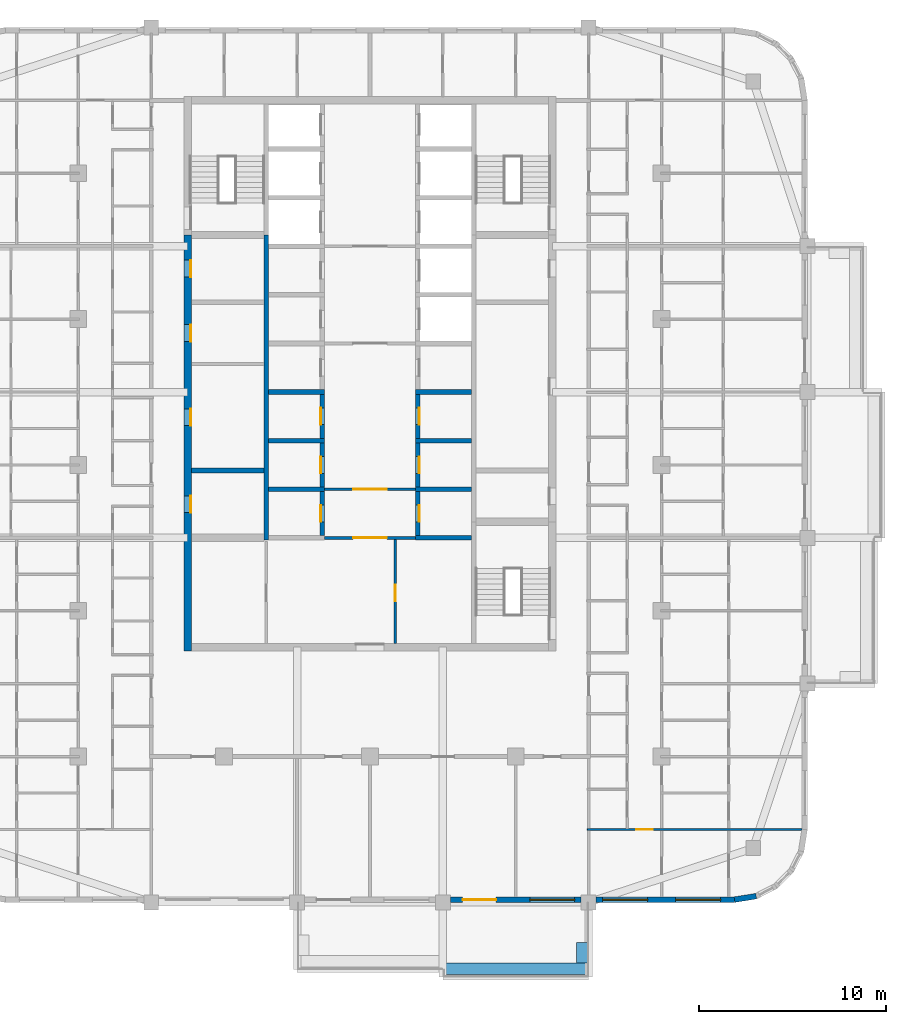
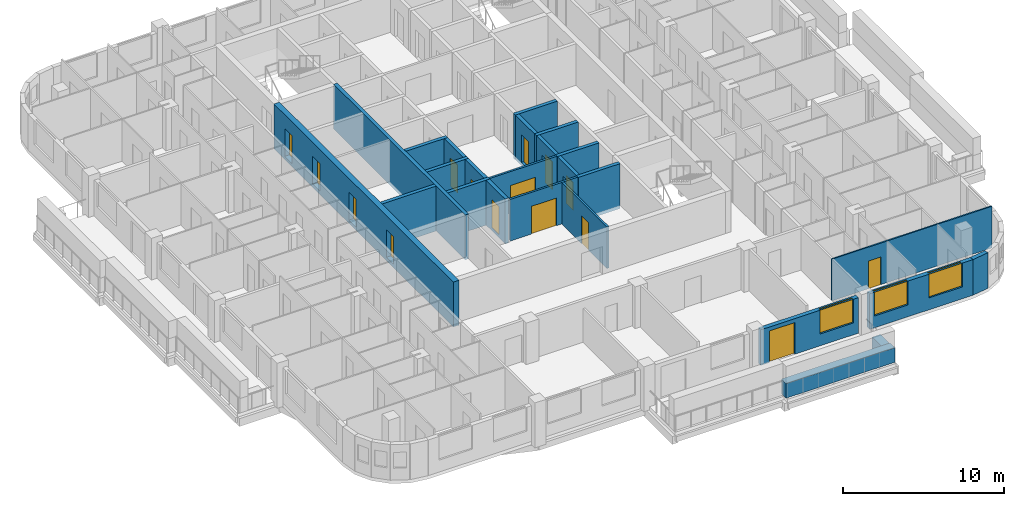
# One storey, part 5 of 16: 25 walls, 15 doors, 3 windows, 18 openings.
"""IFC4 building model written with IfcOpenShell, lengths in metres."""

from ifc_helpers import new_model, si_unit, direction, frame, frame_2d, origin, place, context, subcontext, project, spatial, rectangle, extrude, material, layer, layer_set, type_object, element, fill, save


model = new_model("IFC4")

# Units and contexts
model_context = context("Model", 3, precision=1e-05, world=origin(), true_north=direction((0.0, 1.0)))
body_context = subcontext(model_context, "Body", "Model", "MODEL_VIEW")
ifc_project = project(units=[si_unit("LENGTHUNIT", "METRE"), si_unit("AREAUNIT", "SQUARE_METRE"), si_unit("VOLUMEUNIT", "CUBIC_METRE"), si_unit("PLANEANGLEUNIT", "RADIAN"), si_unit("MASSUNIT", "GRAM", prefix="KILO")], contexts=[model_context])

# Site, building, storey
site_placement = place(None, origin())
site = spatial("IfcSite", under=ifc_project, at=site_placement, CompositionType="ELEMENT")
building_placement = place(site_placement, origin())
building = spatial("IfcBuilding", under=site, at=building_placement, Name="Ludao Terraces", CompositionType="ELEMENT")
storey_placement = place(building_placement, frame((0.0, 0.0, 234.699951171875)))
storey = spatial("IfcBuildingStorey", under=building, at=storey_placement, Name="L64", CompositionType="ELEMENT", Elevation=234.699951171875)

# Wall, openings, doors
ifc_material_1 = material(Name="Concrete C50", Category="concrete")
ifc_layer_1 = layer(ifc_material_1, 0.39990234375)
ifc_layer_set_1 = layer_set([ifc_layer_1], Name="Core wall 400 C50")
wall_type_1 = type_object("IfcWallType", Name="Core wall 400 C50", PredefinedType="SOLIDWALL", material=ifc_layer_set_1)
wall_1_placement = place(storey_placement, frame((75.25, 55.050048828125, -0.25), z_axis=(0.0, 0.0, 1.0), x_axis=(0.0, 1.0, 0.0)))
wall_1 = element("IfcWall", 1, at=wall_1_placement, inside=storey, type_object=wall_type_1, Name="Core wall L64 outer-W", PredefinedType="SOLIDWALL", context=body_context, shape_type="SweptSolid", body=[
    extrude(rectangle(XDim=22.25, YDim=0.39990234375, at=frame_2d((11.125, 0.0))), origin(), (0.0, 0.0, 1.0), 3.400146484375),
])
opening_1_placement = place(wall_1_placement, frame((7.39990234375, 0.0, 0.25)))
opening_1 = element("IfcOpeningElement", 2, at=opening_1_placement, cuts=wall_1, Name="Opening R23-058", PredefinedType="OPENING", context=body_context, shape_type="SweptSolid", body=[
    extrude(rectangle(XDim=0.89990234375, YDim=2.10009765625, at=frame_2d((0.449951171875, 1.050048828125))), frame((0.0, 0.2099609375, 0.0), z_axis=(0.0, -1.0, 0.0), x_axis=(1.0, 0.0, 0.0)), (0.0, 0.0, 1.0), 0.419921875),
])
opening_2_placement = place(wall_1_placement, frame((12.050048828125, 0.0, 0.25)))
opening_2 = element("IfcOpeningElement", 3, at=opening_2_placement, cuts=wall_1, Name="Opening R23-074", PredefinedType="OPENING", context=body_context, shape_type="SweptSolid", body=[
    extrude(rectangle(XDim=0.89990234375, YDim=2.10009765625, at=frame_2d((0.449951171875, 1.050048828125))), frame((0.0, 0.2099609375, 0.0), z_axis=(0.0, -1.0, 0.0), x_axis=(1.0, 0.0, 0.0)), (0.0, 0.0, 1.0), 0.419921875),
])
opening_3_placement = place(wall_1_placement, frame((16.550048828125, 0.0, 0.25)))
opening_3 = element("IfcOpeningElement", 4, at=opening_3_placement, cuts=wall_1, Name="Opening R23-093", PredefinedType="OPENING", context=body_context, shape_type="SweptSolid", body=[
    extrude(rectangle(XDim=0.89990234375, YDim=2.10009765625, at=frame_2d((0.449951171875, 1.050048828125))), frame((0.0, 0.2099609375, 0.0), z_axis=(0.0, -1.0, 0.0), x_axis=(1.0, 0.0, 0.0)), (0.0, 0.0, 1.0), 0.419921875),
])
opening_4_placement = place(wall_1_placement, frame((20.0, 0.0, 0.25)))
opening_4 = element("IfcOpeningElement", 5, at=opening_4_placement, cuts=wall_1, Name="Opening R23-104", PredefinedType="OPENING", context=body_context, shape_type="SweptSolid", body=[
    extrude(rectangle(XDim=0.89990234375, YDim=2.10009765625, at=frame_2d((0.449951171875, 1.050048828125))), frame((0.0, 0.2099609375, 0.0), z_axis=(0.0, -1.0, 0.0), x_axis=(1.0, 0.0, 0.0)), (0.0, 0.0, 1.0), 0.419921875),
])
ifc_material_2 = material(Name="Steel Q235", Category="steel")
door_type_1 = type_object("IfcDoorType", Name="INT Riser door 900", OperationType="SINGLE_SWING_LEFT", PredefinedType="DOOR", material=ifc_material_2)
door_1_placement = place(opening_1_placement, origin())
door_1 = element("IfcDoor", 6, at=door_1_placement, inside=storey, type_object=door_type_1, Name="DOOR 058", OperationType="SINGLE_SWING_RIGHT", OverallHeight=2.10009765625, OverallWidth=0.89990234375, PredefinedType="DOOR", context=body_context, shape_type="SweptSolid", body=[
    extrude(rectangle(XDim=0.89990234375, YDim=2.10009765625, at=frame_2d((0.449951171875, 1.050048828125))), frame((0.0, -0.134765625, 0.0), z_axis=(0.0, -1.0, 0.0), x_axis=(1.0, 0.0, 0.0)), (0.0, 0.0, 1.0), 0.050048828125),
])
fill(opening_1, door_1)
door_2_placement = place(opening_4_placement, origin())
door_2 = element("IfcDoor", 7, at=door_2_placement, inside=storey, type_object=door_type_1, Name="DOOR 104", OperationType="SINGLE_SWING_LEFT", OverallHeight=2.10009765625, OverallWidth=0.89990234375, PredefinedType="DOOR", context=body_context, shape_type="SweptSolid", body=[
    extrude(rectangle(XDim=0.89990234375, YDim=2.10009765625, at=frame_2d((0.449951171875, 1.050048828125))), frame((0.0, -0.134765625, 0.0), z_axis=(0.0, -1.0, 0.0), x_axis=(1.0, 0.0, 0.0)), (0.0, 0.0, 1.0), 0.050048828125),
])
fill(opening_4, door_2)
ifc_material_3 = material(Name="Timber door leaf", Category="wood")
door_type_2 = type_object("IfcDoorType", Name="INT Room door 900", OperationType="SINGLE_SWING_LEFT", PredefinedType="DOOR", material=ifc_material_3)
door_3_placement = place(opening_2_placement, origin())
door_3 = element("IfcDoor", 8, at=door_3_placement, inside=storey, type_object=door_type_2, Name="DOOR 074", OperationType="SINGLE_SWING_RIGHT", OverallHeight=2.10009765625, OverallWidth=0.89990234375, PredefinedType="DOOR", context=body_context, shape_type="SweptSolid", body=[
    extrude(rectangle(XDim=0.89990234375, YDim=2.10009765625, at=frame_2d((0.449951171875, 1.050048828125))), frame((0.0, -0.134765625, 0.0), z_axis=(0.0, -1.0, 0.0), x_axis=(1.0, 0.0, 0.0)), (0.0, 0.0, 1.0), 0.050048828125),
])
fill(opening_2, door_3)
door_4_placement = place(opening_3_placement, origin())
door_4 = element("IfcDoor", 9, at=door_4_placement, inside=storey, type_object=door_type_2, Name="DOOR 093", OperationType="SINGLE_SWING_LEFT", OverallHeight=2.10009765625, OverallWidth=0.89990234375, PredefinedType="DOOR", context=body_context, shape_type="SweptSolid", body=[
    extrude(rectangle(XDim=0.89990234375, YDim=2.10009765625, at=frame_2d((0.449951171875, 1.050048828125))), frame((0.0, -0.134765625, 0.0), z_axis=(0.0, -1.0, 0.0), x_axis=(1.0, 0.0, 0.0)), (0.0, 0.0, 1.0), 0.050048828125),
])
fill(opening_3, door_4)

# Walls
ifc_material_4 = material(Name="Concrete C40", Category="concrete")
ifc_layer_2 = layer(ifc_material_4, 0.60009765625)
ifc_layer_set_2 = layer_set([ifc_layer_2], Name="ENV Planter trough 600")
wall_type_2 = type_object("IfcWallType", Name="ENV Planter trough 600", PredefinedType="USERDEFINED", material=ifc_layer_set_2)
wall_2_placement = place(storey_placement, frame((88.89990234375, 38.050048828125, 0.0), z_axis=(0.0, 0.0, 1.0), x_axis=(1.0, 0.0, 0.0)))
element("IfcWall", 10, at=wall_2_placement, inside=storey, type_object=wall_type_2, Name="PL-L64-S3", ObjectType="PLANTER", PredefinedType="USERDEFINED", context=body_context, shape_type="SweptSolid", body=[
    extrude(rectangle(XDim=7.800048828125, YDim=0.60009765625, at=frame_2d((3.89990234375, 0.0))), origin(), (0.0, 0.0, 1.0), 1.10009765625),
])
wall_3_placement = place(storey_placement, frame((96.35009765625, 38.35009765625, 0.0), z_axis=(0.0, 0.0, 1.0), x_axis=(0.0, 1.0, 0.0)))
element("IfcWall", 11, at=wall_3_placement, inside=storey, type_object=wall_type_2, Name="PL-L64-S3-SB", ObjectType="PLANTER", PredefinedType="USERDEFINED", context=body_context, shape_type="SweptSolid", body=[
    extrude(rectangle(XDim=1.099853515625, YDim=0.60009765625, at=frame_2d((0.5498046875, 0.0))), origin(), (0.0, 0.0, 1.0), 1.10009765625),
])

# Wall, openings, door, window
ifc_material_5 = material(Name="Granite cladding", Category="masonry")
ifc_layer_3 = layer(ifc_material_5, 0.0400390625, Category="stone")
ifc_material_6 = material(Name="Mineral wool")
ifc_layer_4 = layer(ifc_material_6, 0.06005859375)
ifc_layer_5 = layer(ifc_material_4, 0.199951171875, Category="concrete")
ifc_layer_set_3 = layer_set([ifc_layer_3, ifc_layer_4, ifc_layer_5], Name="ENV Stone-clad wall 300")
wall_type_3 = type_object("IfcWallType", Name="ENV Stone-clad wall 300", PredefinedType="SOLIDWALL", material=ifc_layer_set_3)
wall_4_placement = place(storey_placement, frame((89.300048828125, 41.75, 0.0), z_axis=(0.0, 0.0, 1.0), x_axis=(1.0, 0.0, 0.0)))
wall_4 = element("IfcWall", 12, at=wall_4_placement, inside=storey, type_object=wall_type_3, Name="EW-L64-S4", PredefinedType="SOLIDWALL", context=body_context, shape_type="SweptSolid", body=[
    extrude(rectangle(XDim=7.0, YDim=0.300048828125, at=frame_2d((3.5, 0.0))), origin(), (0.0, 0.0, 1.0), 2.699951171875),
])
opening_5_placement = place(wall_4_placement, frame((0.64990234375, 0.0, 0.0)))
opening_5 = element("IfcOpeningElement", 13, at=opening_5_placement, cuts=wall_4, Name="Opening BD", PredefinedType="OPENING", context=body_context, shape_type="SweptSolid", body=[
    extrude(rectangle(XDim=1.800048828125, YDim=2.39990234375, at=frame_2d((0.89990234375, 1.199951171875))), frame((0.0, 0.16015625, 0.0), z_axis=(0.0, -1.0, 0.0), x_axis=(1.0, 0.0, 0.0)), (0.0, 0.0, 1.0), 0.320068359375),
])
opening_6_placement = place(wall_4_placement, frame((4.25, 0.0, 0.89990234375)))
opening_6 = element("IfcOpeningElement", 14, at=opening_6_placement, cuts=wall_4, Name="Opening W1", PredefinedType="OPENING", context=body_context, shape_type="SweptSolid", body=[
    extrude(rectangle(XDim=2.39990234375, YDim=1.800048828125, at=frame_2d((1.199951171875, 0.89990234375))), frame((0.0, 0.16015625, 0.0), z_axis=(0.0, -1.0, 0.0), x_axis=(1.0, 0.0, 0.0)), (0.0, 0.0, 1.0), 0.320068359375),
])
ifc_material_7 = material(Name="Aluminium glazed door", Category="aluminium")
ifc_layer_6 = layer(ifc_material_7, 0.06005859375)
ifc_layer_set_4 = layer_set([ifc_layer_6], Name="ENV Balcony door BD 1800x2400")
door_type_3 = type_object("IfcDoorType", Name="ENV Balcony door BD 1800x2400", OperationType="DOUBLE_DOOR_SINGLE_SWING", PredefinedType="DOOR", material=ifc_layer_set_4)
door_5_placement = place(opening_5_placement, origin())
door_5 = element("IfcDoor", 15, at=door_5_placement, inside=storey, type_object=door_type_3, Name="BD-L64-S4-1", OperationType="DOUBLE_DOOR_SINGLE_SWING", OverallHeight=2.39990234375, OverallWidth=1.800048828125, PredefinedType="DOOR", context=body_context, shape_type="SweptSolid", body=[
    extrude(rectangle(XDim=1.800048828125, YDim=2.39990234375, at=frame_2d((0.89990234375, 1.199951171875))), frame((0.0, 0.02490234375, 0.0), z_axis=(0.0, -1.0, 0.0), x_axis=(1.0, 0.0, 0.0)), (0.0, 0.0, 1.0), 0.050048828125),
])
fill(opening_5, door_5)
ifc_material_8 = material(Name="Clear glass in aluminium frame", Category="aluminium")
ifc_layer_7 = layer(ifc_material_8, 0.06005859375)
ifc_layer_set_5 = layer_set([ifc_layer_7], Name="ENV Window W1 2400x1800")
window_type = type_object("IfcWindowType", Name="ENV Window W1 2400x1800", PartitioningType="DOUBLE_PANEL_VERTICAL", PredefinedType="WINDOW", material=ifc_layer_set_5)
window_1_placement = place(opening_6_placement, origin())
window_1 = element("IfcWindow", 16, at=window_1_placement, inside=storey, type_object=window_type, Name="W-L64-S4-2", OverallHeight=1.800048828125, OverallWidth=2.39990234375, PartitioningType="DOUBLE_PANEL_VERTICAL", PredefinedType="WINDOW", context=body_context, shape_type="SweptSolid", body=[
    extrude(rectangle(XDim=2.39990234375, YDim=1.800048828125, at=frame_2d((1.199951171875, 0.89990234375))), frame((0.0, 0.030029296875, 0.0), z_axis=(0.0, -1.0, 0.0), x_axis=(1.0, 0.0, 0.0)), (0.0, 0.0, 1.0), 0.06005859375),
])
fill(opening_6, window_1)

# Wall, openings, windows
wall_5_placement = place(storey_placement, frame((97.10009765625, 41.75, 0.0), z_axis=(0.0, 0.0, 1.0), x_axis=(1.0, 0.0, 0.0)))
wall_5 = element("IfcWall", 17, at=wall_5_placement, inside=storey, type_object=wall_type_3, Name="EW-L64-S5", PredefinedType="SOLIDWALL", context=body_context, shape_type="SweptSolid", body=[
    extrude(rectangle(XDim=7.39990234375, YDim=0.300048828125, at=frame_2d((3.699951171875, 0.0))), origin(), (0.0, 0.0, 1.0), 2.699951171875),
])
opening_7_placement = place(wall_5_placement, frame((0.35009765625, 0.0, 0.89990234375)))
opening_7 = element("IfcOpeningElement", 18, at=opening_7_placement, cuts=wall_5, Name="Opening W1", PredefinedType="OPENING", context=body_context, shape_type="SweptSolid", body=[
    extrude(rectangle(XDim=2.39990234375, YDim=1.800048828125, at=frame_2d((1.199951171875, 0.89990234375))), frame((0.0, 0.16015625, 0.0), z_axis=(0.0, -1.0, 0.0), x_axis=(1.0, 0.0, 0.0)), (0.0, 0.0, 1.0), 0.320068359375),
])
opening_8_placement = place(wall_5_placement, frame((4.25, 0.0, 0.89990234375)))
opening_8 = element("IfcOpeningElement", 19, at=opening_8_placement, cuts=wall_5, Name="Opening W1", PredefinedType="OPENING", context=body_context, shape_type="SweptSolid", body=[
    extrude(rectangle(XDim=2.39990234375, YDim=1.800048828125, at=frame_2d((1.199951171875, 0.89990234375))), frame((0.0, 0.16015625, 0.0), z_axis=(0.0, -1.0, 0.0), x_axis=(1.0, 0.0, 0.0)), (0.0, 0.0, 1.0), 0.320068359375),
])
window_2_placement = place(opening_7_placement, origin())
window_2 = element("IfcWindow", 20, at=window_2_placement, inside=storey, type_object=window_type, Name="W-L64-S5-1", OverallHeight=1.800048828125, OverallWidth=2.39990234375, PartitioningType="DOUBLE_PANEL_VERTICAL", PredefinedType="WINDOW", context=body_context, shape_type="SweptSolid", body=[
    extrude(rectangle(XDim=2.39990234375, YDim=1.800048828125, at=frame_2d((1.199951171875, 0.89990234375))), frame((0.0, 0.030029296875, 0.0), z_axis=(0.0, -1.0, 0.0), x_axis=(1.0, 0.0, 0.0)), (0.0, 0.0, 1.0), 0.06005859375),
])
fill(opening_7, window_2)
window_3_placement = place(opening_8_placement, origin())
window_3 = element("IfcWindow", 21, at=window_3_placement, inside=storey, type_object=window_type, Name="W-L64-S5-2", OverallHeight=1.800048828125, OverallWidth=2.39990234375, PartitioningType="DOUBLE_PANEL_VERTICAL", PredefinedType="WINDOW", context=body_context, shape_type="SweptSolid", body=[
    extrude(rectangle(XDim=2.39990234375, YDim=1.800048828125, at=frame_2d((1.199951171875, 0.89990234375))), frame((0.0, 0.030029296875, 0.0), z_axis=(0.0, -1.0, 0.0), x_axis=(1.0, 0.0, 0.0)), (0.0, 0.0, 1.0), 0.06005859375),
])
fill(opening_8, window_3)

# Wall
wall_6_placement = place(storey_placement, frame((104.5, 41.75, 0.0), z_axis=(0.0, 0.0, 1.0), x_axis=(0.987678452879, 0.156496880861, 0.0)))
element("IfcWall", 22, at=wall_6_placement, inside=storey, type_object=wall_type_3, Name="EW-L64-SE1", PredefinedType="SOLIDWALL", context=body_context, shape_type="SweptSolid", body=[
    extrude(rectangle(XDim=1.173095703125, YDim=0.300048828125, at=frame_2d((0.58642578125, 0.0))), origin(), (0.0, 0.0, 1.0), 2.699951171875),
])

# Wall, opening, door
ifc_material_9 = material(Name="Fire-rated gypsum plasterboard", Category="gypsum")
ifc_layer_8 = layer(ifc_material_9, 0.012451171875, Category="gypsum")
ifc_layer_9 = layer(ifc_material_6, 0.10009765625, Name="insulation")
ifc_layer_10 = layer(ifc_material_2, 0.02490234375, Name="stud")
ifc_layer_11 = layer(ifc_material_9, 0.012451171875, Category="gypsum")
ifc_layer_set_6 = layer_set([ifc_layer_8, ifc_layer_9, ifc_layer_10, ifc_layer_11], Name="INT Core partition 150")
wall_type_4 = type_object("IfcWallType", Name="INT Core partition 150", PredefinedType="PARTITIONING", material=ifc_layer_set_6)
wall_7_placement = place(storey_placement, frame((82.5751953125, 61.10009765625, 0.0), z_axis=(0.0, 0.0, 1.0), x_axis=(1.0, 0.0, 0.0)))
wall_7 = element("IfcWall", 23, at=wall_7_placement, inside=storey, type_object=wall_type_4, Name="PW-L64-PW028", PredefinedType="PARTITIONING", context=body_context, shape_type="SweptSolid", body=[
    extrude(rectangle(XDim=4.849853515625, YDim=0.14990234375, at=frame_2d((2.4248046875, 0.0))), origin(), (0.0, 0.0, 1.0), 3.150146484375),
])
opening_9_placement = place(wall_7_placement, frame((1.52490234375, 0.0, 0.0)))
opening_9 = element("IfcOpeningElement", 24, at=opening_9_placement, cuts=wall_7, Name="Opening R23-051", PredefinedType="OPENING", context=body_context, shape_type="SweptSolid", body=[
    extrude(rectangle(XDim=1.800048828125, YDim=2.10009765625, at=frame_2d((0.89990234375, 1.050048828125))), frame((0.0, 0.0849609375, 0.0), z_axis=(0.0, -1.0, 0.0), x_axis=(1.0, 0.0, 0.0)), (0.0, 0.0, 1.0), 0.169921875),
])
door_type_4 = type_object("IfcDoorType", Name="INT Fire lobby door 1800", OperationType="DOUBLE_DOOR_SINGLE_SWING", PredefinedType="DOOR", material=ifc_material_2)
door_6_placement = place(opening_9_placement, origin())
door_6 = element("IfcDoor", 25, at=door_6_placement, inside=storey, type_object=door_type_4, Name="DOOR 051", OperationType="DOUBLE_DOOR_SINGLE_SWING", OverallHeight=2.10009765625, OverallWidth=1.800048828125, PredefinedType="DOOR", context=body_context, shape_type="SweptSolid", body=[
    extrude(rectangle(XDim=1.800048828125, YDim=2.10009765625, at=frame_2d((0.89990234375, 1.050048828125))), frame((0.0, 0.02490234375, 0.0), z_axis=(0.0, -1.0, 0.0), x_axis=(1.0, 0.0, 0.0)), (0.0, 0.0, 1.0), 0.050048828125),
])
fill(opening_9, door_6)

wall_8_placement = place(storey_placement, frame((82.5751953125, 63.699951171875, 0.0), z_axis=(0.0, 0.0, 1.0), x_axis=(1.0, 0.0, 0.0)))
wall_8 = element("IfcWall", 26, at=wall_8_placement, inside=storey, type_object=wall_type_4, Name="PW-L64-PW034", PredefinedType="PARTITIONING", context=body_context, shape_type="SweptSolid", body=[
    extrude(rectangle(XDim=4.849853515625, YDim=0.14990234375, at=frame_2d((2.4248046875, 0.0))), origin(), (0.0, 0.0, 1.0), 3.150146484375),
])
opening_10_placement = place(wall_8_placement, frame((1.52490234375, 0.0, 0.0)))
opening_10 = element("IfcOpeningElement", 27, at=opening_10_placement, cuts=wall_8, Name="Opening R23-060", PredefinedType="OPENING", context=body_context, shape_type="SweptSolid", body=[
    extrude(rectangle(XDim=1.800048828125, YDim=2.10009765625, at=frame_2d((0.89990234375, 1.050048828125))), frame((0.0, 0.0849609375, 0.0), z_axis=(0.0, -1.0, 0.0), x_axis=(1.0, 0.0, 0.0)), (0.0, 0.0, 1.0), 0.169921875),
])
door_7_placement = place(opening_10_placement, origin())
door_7 = element("IfcDoor", 28, at=door_7_placement, inside=storey, type_object=door_type_4, Name="DOOR 060", OperationType="DOUBLE_DOOR_SINGLE_SWING", OverallHeight=2.10009765625, OverallWidth=1.800048828125, PredefinedType="DOOR", context=body_context, shape_type="SweptSolid", body=[
    extrude(rectangle(XDim=1.800048828125, YDim=2.10009765625, at=frame_2d((0.89990234375, 1.050048828125))), frame((0.0, 0.02490234375, 0.0), z_axis=(0.0, -1.0, 0.0), x_axis=(1.0, 0.0, 0.0)), (0.0, 0.0, 1.0), 0.050048828125),
])
fill(opening_10, door_7)

wall_9_placement = place(storey_placement, frame((86.35009765625, 55.4501953125, 0.0), z_axis=(0.0, 0.0, 1.0), x_axis=(0.0, 1.0, 0.0)))
wall_9 = element("IfcWall", 29, at=wall_9_placement, inside=storey, type_object=wall_type_4, Name="PW-L64-PW088", PredefinedType="PARTITIONING", context=body_context, shape_type="SweptSolid", body=[
    extrude(rectangle(XDim=5.574951171875, YDim=0.14990234375, at=frame_2d((2.78759765625, 0.0))), origin(), (0.0, 0.0, 1.0), 3.150146484375),
])
opening_11_placement = place(wall_9_placement, frame((2.25, 0.0, 0.0)))
opening_11 = element("IfcOpeningElement", 30, at=opening_11_placement, cuts=wall_9, Name="Opening R23-042", PredefinedType="OPENING", context=body_context, shape_type="SweptSolid", body=[
    extrude(rectangle(XDim=0.89990234375, YDim=2.10009765625, at=frame_2d((0.449951171875, 1.050048828125))), frame((0.0, 0.0849609375, 0.0), z_axis=(0.0, -1.0, 0.0), x_axis=(1.0, 0.0, 0.0)), (0.0, 0.0, 1.0), 0.169921875),
])
door_8_placement = place(opening_11_placement, origin())
door_8 = element("IfcDoor", 31, at=door_8_placement, inside=storey, type_object=door_type_2, Name="DOOR 042", OperationType="SINGLE_SWING_RIGHT", OverallHeight=2.10009765625, OverallWidth=0.89990234375, PredefinedType="DOOR", context=body_context, shape_type="SweptSolid", body=[
    extrude(rectangle(XDim=0.89990234375, YDim=2.10009765625, at=frame_2d((0.449951171875, 1.050048828125))), frame((0.0, 0.02490234375, 0.0), z_axis=(0.0, -1.0, 0.0), x_axis=(1.0, 0.0, 0.0)), (0.0, 0.0, 1.0), 0.050048828125),
])
fill(opening_11, door_8)

ifc_material_10 = material(Name="Gypsum plasterboard", Category="gypsum")
ifc_layer_12 = layer(ifc_material_10, 0.012451171875, Category="gypsum")
ifc_layer_13 = layer(ifc_material_6, 0.06005859375, Name="insulation")
ifc_layer_14 = layer(ifc_material_2, 0.014892578125, Name="stud")
ifc_layer_15 = layer(ifc_material_10, 0.012451171875, Category="gypsum")
ifc_layer_set_7 = layer_set([ifc_layer_12, ifc_layer_13, ifc_layer_14, ifc_layer_15], Name="INT Partition 100")
wall_type_5 = type_object("IfcWallType", Name="INT Partition 100", PredefinedType="PARTITIONING", material=ifc_layer_set_7)
wall_10_placement = place(storey_placement, frame((96.625, 45.5, 0.0), z_axis=(0.0, 0.0, 1.0), x_axis=(1.0, 0.0, 0.0)))
wall_10 = element("IfcWall", 32, at=wall_10_placement, inside=storey, type_object=wall_type_5, Name="PW-L64-PW001", PredefinedType="PARTITIONING", context=body_context, shape_type="SweptSolid", body=[
    extrude(rectangle(XDim=11.47509765625, YDim=0.10009765625, at=frame_2d((5.737548828125, 0.0))), origin(), (0.0, 0.0, 1.0), 3.150146484375),
])
opening_12_placement = place(wall_10_placement, frame((2.610107421875, 0.0, 0.0)))
opening_12 = element("IfcOpeningElement", 33, at=opening_12_placement, cuts=wall_10, Name="Opening R23-006", PredefinedType="OPENING", context=body_context, shape_type="SweptSolid", body=[
    extrude(rectangle(XDim=0.89990234375, YDim=2.10009765625, at=frame_2d((0.449951171875, 1.050048828125))), frame((0.0, 0.06005859375, 0.0), z_axis=(0.0, -1.0, 0.0), x_axis=(1.0, 0.0, 0.0)), (0.0, 0.0, 1.0), 0.1201171875),
])
door_9_placement = place(opening_12_placement, origin())
door_9 = element("IfcDoor", 34, at=door_9_placement, inside=storey, type_object=door_type_2, Name="DOOR 006", OperationType="SINGLE_SWING_RIGHT", OverallHeight=2.10009765625, OverallWidth=0.89990234375, PredefinedType="DOOR", context=body_context, shape_type="SweptSolid", body=[
    extrude(rectangle(XDim=0.89990234375, YDim=2.10009765625, at=frame_2d((0.449951171875, 1.050048828125))), frame((0.0, 0.02490234375, 0.0), z_axis=(0.0, -1.0, 0.0), x_axis=(1.0, 0.0, 0.0)), (0.0, 0.0, 1.0), 0.050048828125),
])
fill(opening_12, door_9)

# Wall
ifc_layer_16 = layer(ifc_material_1, 0.25)
ifc_layer_set_8 = layer_set([ifc_layer_16], Name="Shaft wall 250 C50")
wall_type_6 = type_object("IfcWallType", Name="Shaft wall 250 C50", PredefinedType="SOLIDWALL", material=ifc_layer_set_8)
wall_11_placement = place(storey_placement, frame((79.449951171875, 60.97509765625, -0.25), z_axis=(0.0, 0.0, 1.0), x_axis=(0.0, 1.0, 0.0)))
element("IfcWall", 35, at=wall_11_placement, inside=storey, type_object=wall_type_6, Name="Core wall L64 back-W", PredefinedType="SOLIDWALL", context=body_context, shape_type="SweptSolid", body=[
    extrude(rectangle(XDim=16.324951171875, YDim=0.25, at=frame_2d((8.16259765625, 0.0))), origin(), (0.0, 0.0, 1.0), 3.400146484375),
])

# Wall, opening, door
wall_12_placement = place(storey_placement, frame((82.449951171875, 61.22509765625, -0.25), z_axis=(0.0, 0.0, 1.0), x_axis=(0.0, 1.0, 0.0)))
wall_12 = element("IfcWall", 36, at=wall_12_placement, inside=storey, type_object=wall_type_6, Name="Core wall L64 front-W1", PredefinedType="SOLIDWALL", context=body_context, shape_type="SweptSolid", body=[
    extrude(rectangle(XDim=2.349853515625, YDim=0.25, at=frame_2d((1.1748046875, 0.0))), origin(), (0.0, 0.0, 1.0), 3.400146484375),
])
opening_13_placement = place(wall_12_placement, frame((0.72509765625, 0.0, 0.25)))
opening_13 = element("IfcOpeningElement", 37, at=opening_13_placement, cuts=wall_12, Name="Opening R23-056", PredefinedType="OPENING", context=body_context, shape_type="SweptSolid", body=[
    extrude(rectangle(XDim=0.89990234375, YDim=2.10009765625, at=frame_2d((0.449951171875, 1.050048828125))), frame((0.0, 0.135009765625, 0.0), z_axis=(0.0, -1.0, 0.0), x_axis=(1.0, 0.0, 0.0)), (0.0, 0.0, 1.0), 0.27001953125),
])
door_10_placement = place(opening_13_placement, origin())
door_10 = element("IfcDoor", 38, at=door_10_placement, inside=storey, type_object=door_type_2, Name="DOOR 056", OperationType="SINGLE_SWING_LEFT", OverallHeight=2.10009765625, OverallWidth=0.89990234375, PredefinedType="DOOR", context=body_context, shape_type="SweptSolid", body=[
    extrude(rectangle(XDim=0.89990234375, YDim=2.10009765625, at=frame_2d((0.449951171875, 1.050048828125))), frame((0.0, 0.10986328125, 0.0), z_axis=(0.0, -1.0, 0.0), x_axis=(1.0, 0.0, 0.0)), (0.0, 0.0, 1.0), 0.050048828125),
])
fill(opening_13, door_10)

# Wall
wall_13_placement = place(storey_placement, frame((79.574951171875, 63.699951171875, -0.25), z_axis=(0.0, 0.0, 1.0), x_axis=(1.0, 0.0, 0.0)))
element("IfcWall", 39, at=wall_13_placement, inside=storey, type_object=wall_type_6, Name="Core wall L64 div-W2", PredefinedType="SOLIDWALL", context=body_context, shape_type="SweptSolid", body=[
    extrude(rectangle(XDim=3.0, YDim=0.25, at=frame_2d((1.5, 0.0))), origin(), (0.0, 0.0, 1.0), 3.400146484375),
])

# Wall, opening, door
wall_14_placement = place(storey_placement, frame((82.449951171875, 63.824951171875, -0.25), z_axis=(0.0, 0.0, 1.0), x_axis=(0.0, 1.0, 0.0)))
wall_14 = element("IfcWall", 40, at=wall_14_placement, inside=storey, type_object=wall_type_6, Name="Core wall L64 front-W2", PredefinedType="SOLIDWALL", context=body_context, shape_type="SweptSolid", body=[
    extrude(rectangle(XDim=2.35009765625, YDim=0.25, at=frame_2d((1.175048828125, 0.0))), origin(), (0.0, 0.0, 1.0), 3.400146484375),
])
opening_14_placement = place(wall_14_placement, frame((0.72509765625, 0.0, 0.25)))
opening_14 = element("IfcOpeningElement", 41, at=opening_14_placement, cuts=wall_14, Name="Opening R23-067", PredefinedType="OPENING", context=body_context, shape_type="SweptSolid", body=[
    extrude(rectangle(XDim=0.89990234375, YDim=2.10009765625, at=frame_2d((0.449951171875, 1.050048828125))), frame((0.0, 0.135009765625, 0.0), z_axis=(0.0, -1.0, 0.0), x_axis=(1.0, 0.0, 0.0)), (0.0, 0.0, 1.0), 0.27001953125),
])
door_11_placement = place(opening_14_placement, origin())
door_11 = element("IfcDoor", 42, at=door_11_placement, inside=storey, type_object=door_type_2, Name="DOOR 067", OperationType="SINGLE_SWING_LEFT", OverallHeight=2.10009765625, OverallWidth=0.89990234375, PredefinedType="DOOR", context=body_context, shape_type="SweptSolid", body=[
    extrude(rectangle(XDim=0.89990234375, YDim=2.10009765625, at=frame_2d((0.449951171875, 1.050048828125))), frame((0.0, 0.10986328125, 0.0), z_axis=(0.0, -1.0, 0.0), x_axis=(1.0, 0.0, 0.0)), (0.0, 0.0, 1.0), 0.050048828125),
])
fill(opening_14, door_11)

# Wall
wall_15_placement = place(storey_placement, frame((79.574951171875, 66.300048828125, -0.25), z_axis=(0.0, 0.0, 1.0), x_axis=(1.0, 0.0, 0.0)))
element("IfcWall", 43, at=wall_15_placement, inside=storey, type_object=wall_type_6, Name="Core wall L64 div-W3", PredefinedType="SOLIDWALL", context=body_context, shape_type="SweptSolid", body=[
    extrude(rectangle(XDim=3.0, YDim=0.25, at=frame_2d((1.5, 0.0))), origin(), (0.0, 0.0, 1.0), 3.400146484375),
])

# Wall, opening, door
wall_16_placement = place(storey_placement, frame((82.449951171875, 66.425048828125, -0.25), z_axis=(0.0, 0.0, 1.0), x_axis=(0.0, 1.0, 0.0)))
wall_16 = element("IfcWall", 44, at=wall_16_placement, inside=storey, type_object=wall_type_6, Name="Core wall L64 front-W3", PredefinedType="SOLIDWALL", context=body_context, shape_type="SweptSolid", body=[
    extrude(rectangle(XDim=2.349853515625, YDim=0.25, at=frame_2d((1.1748046875, 0.0))), origin(), (0.0, 0.0, 1.0), 3.400146484375),
])
opening_15_placement = place(wall_16_placement, frame((0.72509765625, 0.0, 0.25)))
opening_15 = element("IfcOpeningElement", 45, at=opening_15_placement, cuts=wall_16, Name="Opening R23-075", PredefinedType="OPENING", context=body_context, shape_type="SweptSolid", body=[
    extrude(rectangle(XDim=0.89990234375, YDim=2.10009765625, at=frame_2d((0.449951171875, 1.050048828125))), frame((0.0, 0.135009765625, 0.0), z_axis=(0.0, -1.0, 0.0), x_axis=(1.0, 0.0, 0.0)), (0.0, 0.0, 1.0), 0.27001953125),
])
door_12_placement = place(opening_15_placement, origin())
door_12 = element("IfcDoor", 46, at=door_12_placement, inside=storey, type_object=door_type_2, Name="DOOR 075", OperationType="SINGLE_SWING_RIGHT", OverallHeight=2.10009765625, OverallWidth=0.89990234375, PredefinedType="DOOR", context=body_context, shape_type="SweptSolid", body=[
    extrude(rectangle(XDim=0.89990234375, YDim=2.10009765625, at=frame_2d((0.449951171875, 1.050048828125))), frame((0.0, 0.10986328125, 0.0), z_axis=(0.0, -1.0, 0.0), x_axis=(1.0, 0.0, 0.0)), (0.0, 0.0, 1.0), 0.050048828125),
])
fill(opening_15, door_12)

# Walls
for number, where, z_axis, x_axis, name in (
    (47, (79.574951171875, 68.89990234375, -0.25), (0.0, 0.0, 1.0), (1.0, 0.0, 0.0), "Core wall L64 div-W4"),
    (48, (87.425048828125, 61.10009765625, -0.25), (0.0, 0.0, 1.0), (1.0, 0.0, 0.0), "Core wall L64 div-E1"),
):
    element("IfcWall", number, at=place(storey_placement, frame(where, z_axis=z_axis, x_axis=x_axis)), inside=storey, type_object=wall_type_6, Name=name, PredefinedType="SOLIDWALL", context=body_context, shape_type="SweptSolid", body=[
        extrude(rectangle(XDim=3.0, YDim=0.25, at=frame_2d((1.5, 0.0))), origin(), (0.0, 0.0, 1.0), 3.400146484375),
    ])

# Wall, opening, door
wall_17_placement = place(storey_placement, frame((87.550048828125, 61.22509765625, -0.25), z_axis=(0.0, 0.0, 1.0), x_axis=(0.0, 1.0, 0.0)))
wall_17 = element("IfcWall", 49, at=wall_17_placement, inside=storey, type_object=wall_type_6, Name="Core wall L64 front-E1", PredefinedType="SOLIDWALL", context=body_context, shape_type="SweptSolid", body=[
    extrude(rectangle(XDim=2.349853515625, YDim=0.25, at=frame_2d((1.1748046875, 0.0))), origin(), (0.0, 0.0, 1.0), 3.400146484375),
])
opening_16_placement = place(wall_17_placement, frame((0.72509765625, 0.0, 0.25)))
opening_16 = element("IfcOpeningElement", 50, at=opening_16_placement, cuts=wall_17, Name="Opening R23-057", PredefinedType="OPENING", context=body_context, shape_type="SweptSolid", body=[
    extrude(rectangle(XDim=0.89990234375, YDim=2.10009765625, at=frame_2d((0.449951171875, 1.050048828125))), frame((0.0, 0.135009765625, 0.0), z_axis=(0.0, -1.0, 0.0), x_axis=(1.0, 0.0, 0.0)), (0.0, 0.0, 1.0), 0.27001953125),
])
door_13_placement = place(opening_16_placement, origin())
door_13 = element("IfcDoor", 51, at=door_13_placement, inside=storey, type_object=door_type_2, Name="DOOR 057", OperationType="SINGLE_SWING_RIGHT", OverallHeight=2.10009765625, OverallWidth=0.89990234375, PredefinedType="DOOR", context=body_context, shape_type="SweptSolid", body=[
    extrude(rectangle(XDim=0.89990234375, YDim=2.10009765625, at=frame_2d((0.449951171875, 1.050048828125))), frame((0.0, -0.06005859375, 0.0), z_axis=(0.0, -1.0, 0.0), x_axis=(1.0, 0.0, 0.0)), (0.0, 0.0, 1.0), 0.050048828125),
])
fill(opening_16, door_13)

# Wall
wall_18_placement = place(storey_placement, frame((87.425048828125, 63.699951171875, -0.25), z_axis=(0.0, 0.0, 1.0), x_axis=(1.0, 0.0, 0.0)))
element("IfcWall", 52, at=wall_18_placement, inside=storey, type_object=wall_type_6, Name="Core wall L64 div-E2", PredefinedType="SOLIDWALL", context=body_context, shape_type="SweptSolid", body=[
    extrude(rectangle(XDim=3.0, YDim=0.25, at=frame_2d((1.5, 0.0))), origin(), (0.0, 0.0, 1.0), 3.400146484375),
])

# Wall, opening, door
wall_19_placement = place(storey_placement, frame((87.550048828125, 63.824951171875, -0.25), z_axis=(0.0, 0.0, 1.0), x_axis=(0.0, 1.0, 0.0)))
wall_19 = element("IfcWall", 53, at=wall_19_placement, inside=storey, type_object=wall_type_6, Name="Core wall L64 front-E2", PredefinedType="SOLIDWALL", context=body_context, shape_type="SweptSolid", body=[
    extrude(rectangle(XDim=2.35009765625, YDim=0.25, at=frame_2d((1.175048828125, 0.0))), origin(), (0.0, 0.0, 1.0), 3.400146484375),
])
opening_17_placement = place(wall_19_placement, frame((0.72509765625, 0.0, 0.25)))
opening_17 = element("IfcOpeningElement", 54, at=opening_17_placement, cuts=wall_19, Name="Opening R23-068", PredefinedType="OPENING", context=body_context, shape_type="SweptSolid", body=[
    extrude(rectangle(XDim=0.89990234375, YDim=2.10009765625, at=frame_2d((0.449951171875, 1.050048828125))), frame((0.0, 0.135009765625, 0.0), z_axis=(0.0, -1.0, 0.0), x_axis=(1.0, 0.0, 0.0)), (0.0, 0.0, 1.0), 0.27001953125),
])
door_14_placement = place(opening_17_placement, origin())
door_14 = element("IfcDoor", 55, at=door_14_placement, inside=storey, type_object=door_type_2, Name="DOOR 068", OperationType="SINGLE_SWING_RIGHT", OverallHeight=2.10009765625, OverallWidth=0.89990234375, PredefinedType="DOOR", context=body_context, shape_type="SweptSolid", body=[
    extrude(rectangle(XDim=0.89990234375, YDim=2.10009765625, at=frame_2d((0.449951171875, 1.050048828125))), frame((0.0, -0.06005859375, 0.0), z_axis=(0.0, -1.0, 0.0), x_axis=(1.0, 0.0, 0.0)), (0.0, 0.0, 1.0), 0.050048828125),
])
fill(opening_17, door_14)

# Wall
wall_20_placement = place(storey_placement, frame((87.425048828125, 66.300048828125, -0.25), z_axis=(0.0, 0.0, 1.0), x_axis=(1.0, 0.0, 0.0)))
element("IfcWall", 56, at=wall_20_placement, inside=storey, type_object=wall_type_6, Name="Core wall L64 div-E3", PredefinedType="SOLIDWALL", context=body_context, shape_type="SweptSolid", body=[
    extrude(rectangle(XDim=3.0, YDim=0.25, at=frame_2d((1.5, 0.0))), origin(), (0.0, 0.0, 1.0), 3.400146484375),
])

# Wall, opening, door
wall_21_placement = place(storey_placement, frame((87.550048828125, 66.425048828125, -0.25), z_axis=(0.0, 0.0, 1.0), x_axis=(0.0, 1.0, 0.0)))
wall_21 = element("IfcWall", 57, at=wall_21_placement, inside=storey, type_object=wall_type_6, Name="Core wall L64 front-E3", PredefinedType="SOLIDWALL", context=body_context, shape_type="SweptSolid", body=[
    extrude(rectangle(XDim=2.349853515625, YDim=0.25, at=frame_2d((1.1748046875, 0.0))), origin(), (0.0, 0.0, 1.0), 3.400146484375),
])
opening_18_placement = place(wall_21_placement, frame((0.72509765625, 0.0, 0.25)))
opening_18 = element("IfcOpeningElement", 58, at=opening_18_placement, cuts=wall_21, Name="Opening R23-076", PredefinedType="OPENING", context=body_context, shape_type="SweptSolid", body=[
    extrude(rectangle(XDim=0.89990234375, YDim=2.10009765625, at=frame_2d((0.449951171875, 1.050048828125))), frame((0.0, 0.135009765625, 0.0), z_axis=(0.0, -1.0, 0.0), x_axis=(1.0, 0.0, 0.0)), (0.0, 0.0, 1.0), 0.27001953125),
])
door_15_placement = place(opening_18_placement, origin())
door_15 = element("IfcDoor", 59, at=door_15_placement, inside=storey, type_object=door_type_2, Name="DOOR 076", OperationType="SINGLE_SWING_LEFT", OverallHeight=2.10009765625, OverallWidth=0.89990234375, PredefinedType="DOOR", context=body_context, shape_type="SweptSolid", body=[
    extrude(rectangle(XDim=0.89990234375, YDim=2.10009765625, at=frame_2d((0.449951171875, 1.050048828125))), frame((0.0, -0.06005859375, 0.0), z_axis=(0.0, -1.0, 0.0), x_axis=(1.0, 0.0, 0.0)), (0.0, 0.0, 1.0), 0.050048828125),
])
fill(opening_18, door_15)

# Walls
wall_22_placement = place(storey_placement, frame((87.425048828125, 68.89990234375, -0.25), z_axis=(0.0, 0.0, 1.0), x_axis=(1.0, 0.0, 0.0)))
element("IfcWall", 60, at=wall_22_placement, inside=storey, type_object=wall_type_6, Name="Core wall L64 div-E4", PredefinedType="SOLIDWALL", context=body_context, shape_type="SweptSolid", body=[
    extrude(rectangle(XDim=3.0, YDim=0.25, at=frame_2d((1.5, 0.0))), origin(), (0.0, 0.0, 1.0), 3.400146484375),
])
wall_23_placement = place(storey_placement, frame((75.449951171875, 64.699951171875, -0.25), z_axis=(0.0, 0.0, 1.0), x_axis=(1.0, 0.0, 0.0)))
element("IfcWall", 61, at=wall_23_placement, inside=storey, type_object=wall_type_6, Name="Core wall L64 riser-a-W", PredefinedType="SOLIDWALL", context=body_context, shape_type="SweptSolid", body=[
    extrude(rectangle(XDim=3.875, YDim=0.25, at=frame_2d((1.9375, 0.0))), origin(), (0.0, 0.0, 1.0), 3.400146484375),
])

save(model, "model.ifc")
